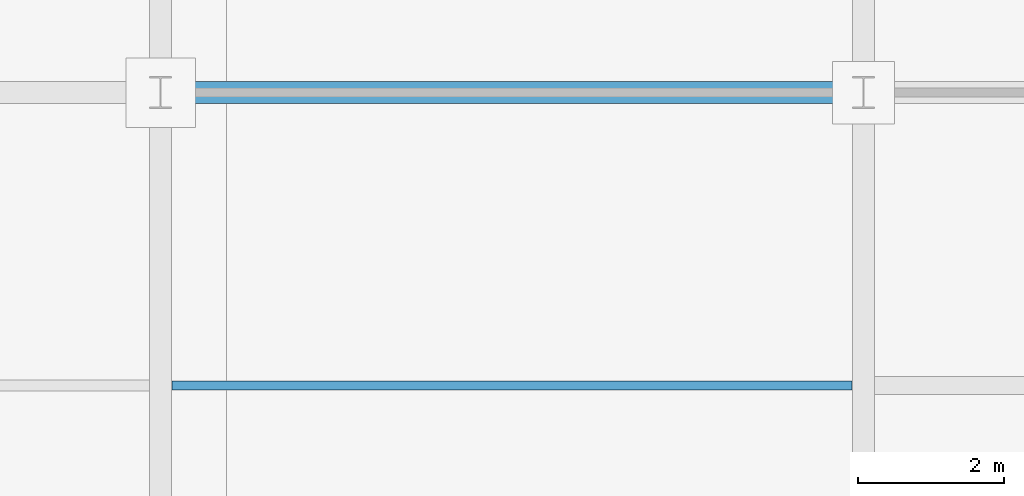
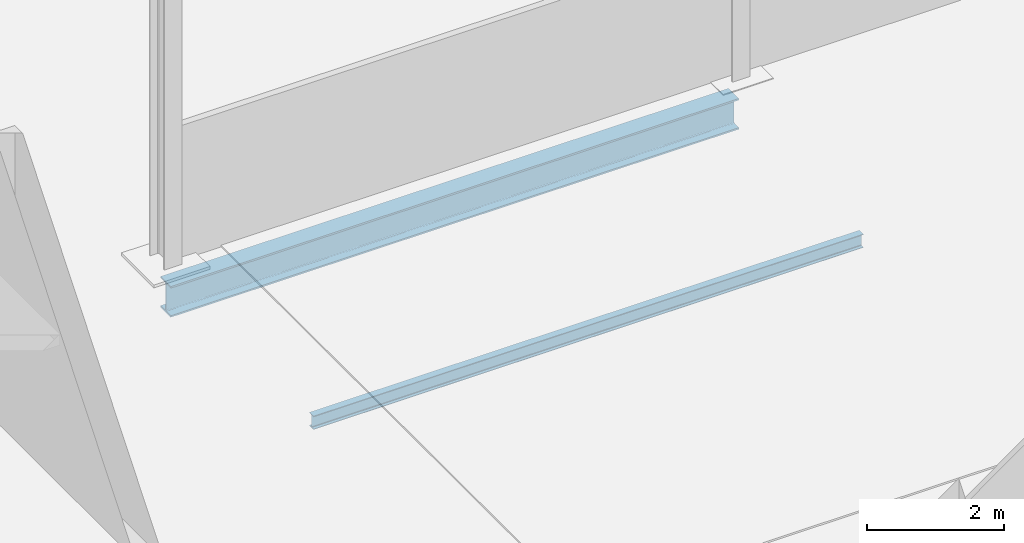
# One storey, part 31 of 196: 2 beams.
"""IFC4 building model written with IfcOpenShell, lengths in metres."""

from ifc_helpers import new_model, si_unit, direction, frame, origin, origin_2d, place, context, subcontext, project, spatial, i_section, extrude, material, material_profile, profile_set, type_object, element, save


model = new_model("IFC4")

# Units and contexts
model_context = context("Model", 3, precision=1e-05, world=origin(), true_north=direction((0.0, 1.0)))
body_context = subcontext(model_context, "Body", "Model", "MODEL_VIEW")
ifc_project = project(units=[si_unit("LENGTHUNIT", "METRE"), si_unit("AREAUNIT", "SQUARE_METRE"), si_unit("VOLUMEUNIT", "CUBIC_METRE"), si_unit("PLANEANGLEUNIT", "RADIAN"), si_unit("MASSUNIT", "GRAM", prefix="KILO")], contexts=[model_context])

# Site, building, storey
site_placement = place(None, origin())
site = spatial("IfcSite", under=ifc_project, at=site_placement, CompositionType="ELEMENT")
building_placement = place(site_placement, origin())
building = spatial("IfcBuilding", under=site, at=building_placement, Name="Merenkruunu Market Hall", CompositionType="ELEMENT")
storey_placement = place(building_placement, origin())
storey = spatial("IfcBuildingStorey", under=building, at=storey_placement, Name="L00", CompositionType="ELEMENT", Elevation=0.0)

# Beams
ifc_material = material(Name="Steel S355J2", Category="steel")
ifc_material_profile_1 = material_profile(ifc_material, i_section(OverallWidth=0.300048828125, OverallDepth=0.550048828125, WebThickness=0.014892578125, FlangeThickness=0.029052734375, FilletRadius=0.027099609375, at=origin_2d()), Name="HEB 550")
ifc_profile_set_1 = profile_set([ifc_material_profile_1], Name="Steel S355J2")
beam_type_1 = type_object("IfcBeamType", Name="Primary Floor Girder B02", PredefinedType="BEAM", material=ifc_profile_set_1)
beam_1_placement = place(storey_placement, frame((9.60009765625, 27.60009765625, -0.614990234375), z_axis=(1.0, 0.0, 0.0), x_axis=(0.0, 1.0, 0.0)))
element("IfcBeam", 1, at=beam_1_placement, inside=storey, type_object=beam_type_1, Name="BM-L00-B02-0028", PredefinedType="BEAM", context=body_context, shape_type="SweptSolid", body=[
    extrude(i_section(OverallWidth=0.300048828125, OverallDepth=0.550048828125, WebThickness=0.014892578125, FlangeThickness=0.029052734375, FilletRadius=0.027099609375, at=origin_2d()), origin(), (0.0, 0.0, 1.0), 9.599853515625),
])
ifc_material_profile_2 = material_profile(ifc_material, i_section(OverallWidth=0.1201171875, OverallDepth=0.239990234375, WebThickness=0.006103515625, FlangeThickness=0.009765625, FilletRadius=0.014892578125, at=origin_2d()), Name="IPE 240")
ifc_profile_set_2 = profile_set([ifc_material_profile_2], Name="Steel S355J2")
beam_type_2 = type_object("IfcBeamType", Name="Secondary Floor Joist J05", PredefinedType="JOIST", material=ifc_profile_set_2)
beam_2_placement = place(storey_placement, frame((9.7529296875, 23.60009765625, -0.4599609375), z_axis=(1.0, 0.0, 0.0), x_axis=(0.0, 1.0, 0.0)))
element("IfcBeam", 2, at=beam_2_placement, inside=storey, type_object=beam_type_2, Name="BM-L00-J05-0291", PredefinedType="JOIST", context=body_context, shape_type="SweptSolid", body=[
    extrude(i_section(OverallWidth=0.1201171875, OverallDepth=0.239990234375, WebThickness=0.006103515625, FlangeThickness=0.009765625, FilletRadius=0.014892578125, at=origin_2d()), origin(), (0.0, 0.0, 1.0), 9.294189453125),
])

save(model, "model.ifc")
